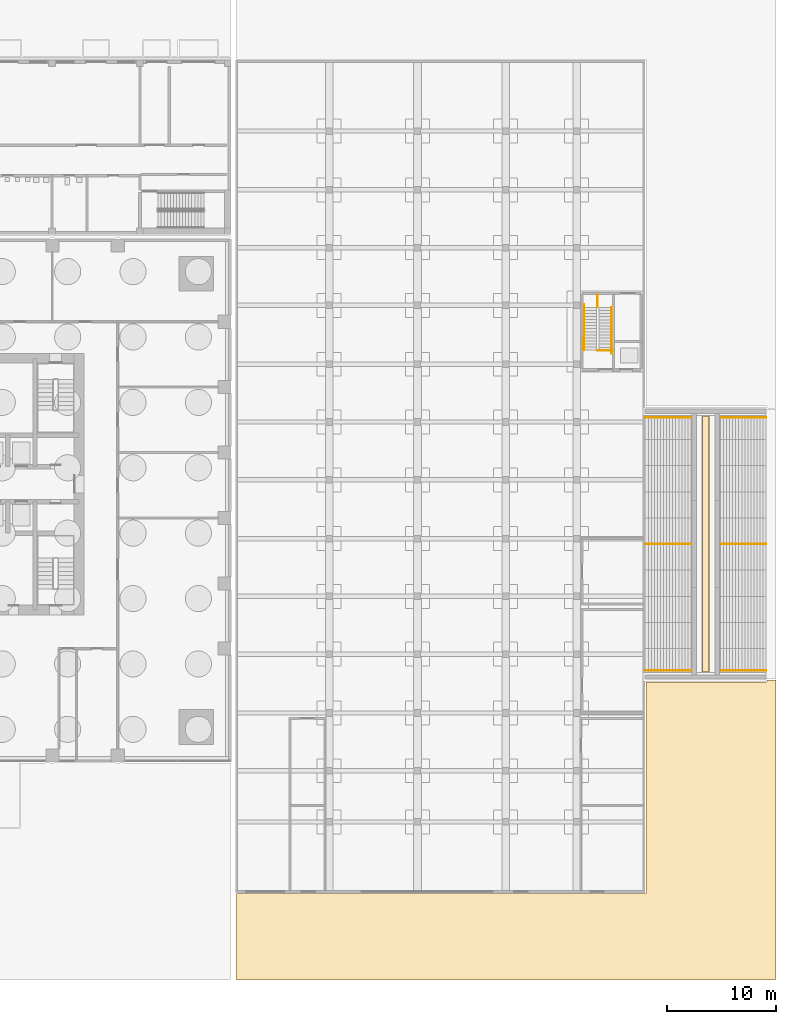
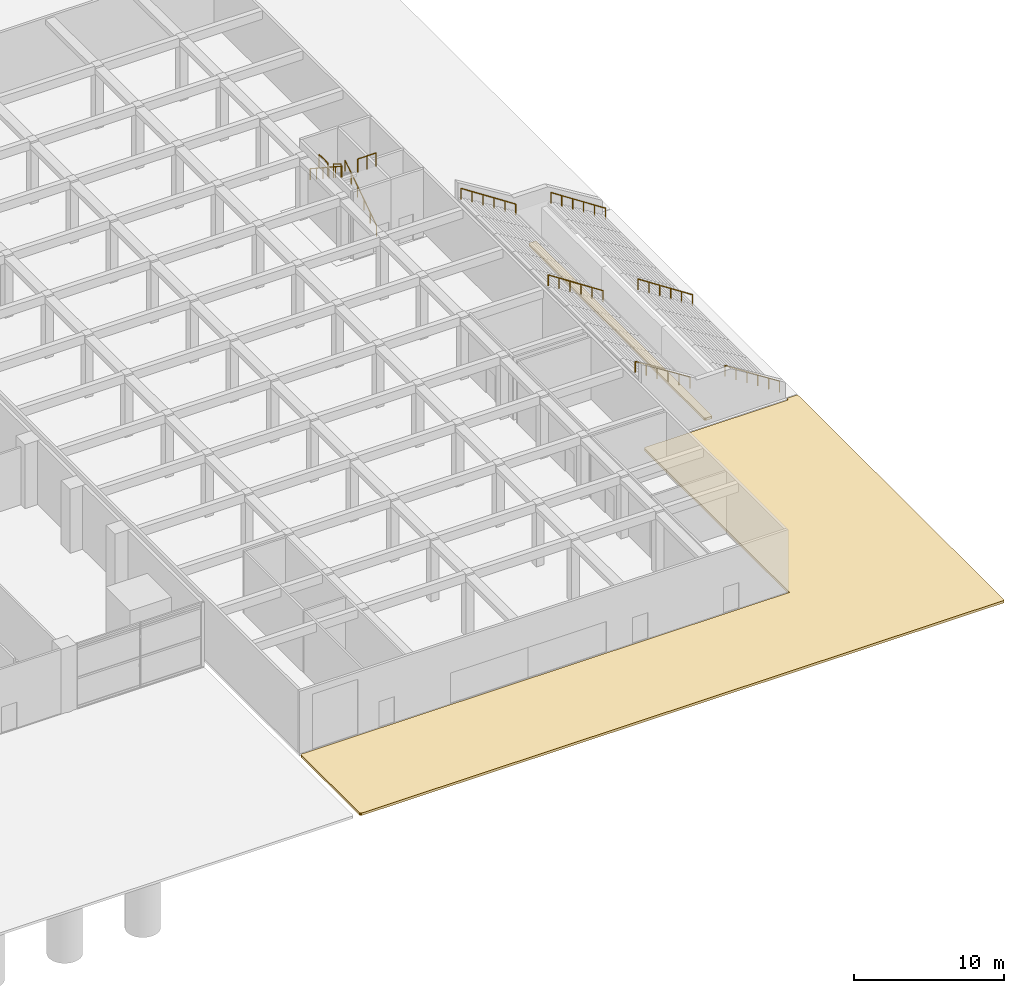
# One storey, part 30 of 33: 11 railings, 2 coverings.
"""IFC4 building model written with IfcOpenShell, lengths in metres."""

import ifcopenshell
import ifcopenshell.guid

model = None  # the IFC model being written
_history = None  # IfcOwnerHistory: only IFC2X3 demands one
_inside = {}  # id of a spatial element -> (the spatial element, [elements in it])
_under = {}  # id of a project, library or spatial element -> (it, [spatial elements below it])
_declared = {}  # id of a project -> (the project, [libraries it declares])
_typed = {}  # id of a type object -> (the type object, [elements of that type])
_made_of = {}  # id of a material, layer set ... -> (it, [elements and type objects made of it])


def new_model(schema):
    """Start an empty IFC model of exactly this schema.

    Asked for "IFC4X3", IfcOpenShell would pick the latest addendum, in which some entities
    have other attributes; the version numbers below select the first issue.
    IFC2X3 requires an IfcOwnerHistory on every rooted entity: one is made here for all.
    """
    global model, _history
    if schema == "IFC4X3":
        model = ifcopenshell.file(schema_version=(4, 3, 0, 0))
    else:
        model = ifcopenshell.file(schema=schema)
    _inside.clear()
    _under.clear()
    _declared.clear()
    _typed.clear()
    _made_of.clear()
    _history = None
    if model.schema == "IFC2X3":
        org = make("IfcOrganization", Name="unknown")
        user = make(
            "IfcPersonAndOrganization",
            ThePerson=make("IfcPerson", FamilyName="unknown"),
            TheOrganization=org,
        )
        app = make(
            "IfcApplication",
            ApplicationDeveloper=org,
            Version="unknown",
            ApplicationFullName="unknown",
            ApplicationIdentifier="unknown",
        )
        _history = make(
            "IfcOwnerHistory",
            OwningUser=user,
            OwningApplication=app,
            ChangeAction="ADDED",
            CreationDate=0,
        )
    return model


def make(cls, **values):
    """One entity of the class cls with the attributes given. An attribute that is None is left unset."""
    return model.create_entity(
        cls, **{name: value for name, value in values.items() if value is not None}
    )


def rooted(cls, **values):
    """An entity with a GlobalId (a new one), such as an element, a storey or a relation."""
    return make(cls, GlobalId=ifcopenshell.guid.new(), OwnerHistory=_history, **values)


def si_unit(unit_type, name, prefix=None):
    """IfcSIUnit, for example si_unit("LENGTHUNIT", "METRE", prefix="MILLI")."""
    return make("IfcSIUnit", UnitType=unit_type, Prefix=prefix, Name=name)


def assignment(units):
    """IfcUnitAssignment: the units of a project."""
    return None if units is None else make("IfcUnitAssignment", Units=units)


def point(xyz):
    """IfcCartesianPoint."""
    return None if xyz is None else make("IfcCartesianPoint", Coordinates=xyz)


def direction(xyz):
    """IfcDirection."""
    return None if xyz is None else make("IfcDirection", DirectionRatios=xyz)


def frame(location, z_axis=None, x_axis=None):
    """IfcAxis2Placement3D, a coordinate frame: its origin and axes. An axis left out is left unset."""
    return make(
        "IfcAxis2Placement3D",
        Location=point(location),
        Axis=direction(z_axis),
        RefDirection=direction(x_axis),
    )


def frame_2d(location, x_axis=None):
    """IfcAxis2Placement2D, a coordinate frame in the plane: its origin and x axis."""
    return make(
        "IfcAxis2Placement2D", Location=point(location), RefDirection=direction(x_axis)
    )


def origin():
    """The frame at (0, 0, 0) with its axes left unset."""
    return frame((0.0, 0.0, 0.0))


def origin_2d():
    """The frame at (0, 0) in the plane with its x axis left unset."""
    return frame_2d((0.0, 0.0))


def place(relative_to, where):
    """IfcLocalPlacement: puts the frame where relative to a parent placement (None: the world)."""
    return make(
        "IfcLocalPlacement", PlacementRelTo=relative_to, RelativePlacement=where
    )


def context(
    kind, dimensions, precision=None, world=None, true_north=None, identifier=None
):
    """IfcGeometricRepresentationContext, for example the 3D "Model" context."""
    return make(
        "IfcGeometricRepresentationContext",
        ContextIdentifier=identifier,
        ContextType=kind,
        CoordinateSpaceDimension=dimensions,
        Precision=precision,
        WorldCoordinateSystem=world,
        TrueNorth=true_north,
    )


def subcontext(parent, identifier, kind, view, scale=None):
    """IfcGeometricRepresentationSubContext, for example "Body" below "Model"."""
    return make(
        "IfcGeometricRepresentationSubContext",
        ContextIdentifier=identifier,
        ContextType=kind,
        ParentContext=parent,
        TargetScale=scale,
        TargetView=view,
    )


def project(units=None, contexts=None):
    """IfcProject with its units and contexts."""
    return rooted(
        "IfcProject",
        Name="project",
        RepresentationContexts=contexts,
        UnitsInContext=assignment(units),
    )


def spatial(cls, under=None, at=None, **own):
    """A site, building, storey or space (cls), placed at a placement, below another one or the project."""
    s = rooted(cls, ObjectPlacement=at, **own)
    if under is not None:
        _under.setdefault(under.id(), (under, []))[1].append(s)
    return s


def polyline(points):
    """IfcPolyline through the points."""
    return make("IfcPolyline", Points=[point(p) for p in points])


def profile(cls, at=None, kind="AREA", **sizes):
    """A parametric profile (cls). Its sizes go by their IFC names, for example OverallWidth=200.0."""
    return make(cls, ProfileType=kind, Position=at, **sizes)


def circle(**sizes):
    """IfcCircleProfileDef."""
    return profile("IfcCircleProfileDef", **sizes)


def outline(outer, holes=None, kind="AREA"):
    """IfcArbitraryClosedProfileDef: a profile drawn as a closed curve; with holes, ...WithVoids."""
    if holes is None:
        return make("IfcArbitraryClosedProfileDef", ProfileType=kind, OuterCurve=outer)
    return make(
        "IfcArbitraryProfileDefWithVoids",
        ProfileType=kind,
        OuterCurve=outer,
        InnerCurves=holes,
    )


def extrude(swept, where, along, depth):
    """IfcExtrudedAreaSolid: the profile swept, set in the frame where, extruded along a direction by depth."""
    return make(
        "IfcExtrudedAreaSolid",
        SweptArea=swept,
        Position=where,
        ExtrudedDirection=direction(along),
        Depth=depth,
    )


def shape(context_of_items, identifier, shape_type, items):
    """IfcShapeRepresentation: the items that make up one representation, for example the "Body"."""
    return make(
        "IfcShapeRepresentation",
        ContextOfItems=context_of_items,
        RepresentationIdentifier=identifier,
        RepresentationType=shape_type,
        Items=items,
    )


def material(Name=None, Category=None):
    """IfcMaterial."""
    return make("IfcMaterial", Name=Name, Category=Category)


def layer(
    of_material, thickness, ventilated=None, Name=None, Category=None, Priority=None
):
    """IfcMaterialLayer: one layer of a wall or slab, of a material (None: an air gap)."""
    return make(
        "IfcMaterialLayer",
        Material=of_material,
        LayerThickness=thickness,
        IsVentilated=ventilated,
        Name=Name,
        Category=Category,
        Priority=Priority,
    )


def layer_set(layers, Name=None):
    """IfcMaterialLayerSet."""
    return make("IfcMaterialLayerSet", MaterialLayers=layers, LayerSetName=Name)


def made_of(thing, what):
    """Note that an element or type object is made of a material, layer set ...; save() writes the relation."""
    if what is not None:
        _made_of.setdefault(what.id(), (what, []))[1].append(thing)
    return thing


def type_object(cls, material=None, **own):
    """A type object (cls), such as IfcWallType, which elements share."""
    return made_of(rooted(cls, **own), material)


def element(
    cls,
    number,
    at=None,
    inside=None,
    cuts=None,
    type_object=None,
    material=None,
    context=None,
    identifier="Body",
    shape_type=None,
    held_by="IfcProductDefinitionShape",
    body=None,
    shapes=None,
    **own,
):
    """One element of the class cls, such as IfcWall. Its Tag is "e" and its number.

    at: its placement. inside: the storey or other place that contains it. cuts: it is an
    opening in that element (IfcRelVoidsElement). A single representation is given by context,
    identifier, shape_type and body (its items); several are given by shapes. held_by: the class
    of the entity that holds the representations. save() writes the other relations.
    """
    e = rooted(cls, Tag="e%d" % number, ObjectPlacement=at, **own)
    if body is not None:
        shapes = [shape(context, identifier, shape_type, body)]
    if shapes is not None:
        e.Representation = make(held_by, Representations=shapes)
    if inside is not None:
        _inside.setdefault(inside.id(), (inside, []))[1].append(e)
    if cuts is not None:
        rooted(
            "IfcRelVoidsElement", RelatingBuildingElement=cuts, RelatedOpeningElement=e
        )
    if type_object is not None:
        _typed.setdefault(type_object.id(), (type_object, []))[1].append(e)
    return made_of(e, material)


def aggregate(whole, parts):
    """IfcRelAggregates: a whole, such as a stair, and the parts it consists of."""
    return rooted("IfcRelAggregates", RelatingObject=whole, RelatedObjects=parts)


def save(model, path):
    """Write the relations noted so far, then the file.

    IfcRelAggregates (storeys below a building ...), IfcRelContainedInSpatialStructure (elements
    in a storey), IfcRelDefinesByType, IfcRelAssociatesMaterial and IfcRelDeclares: one each for
    every whole, place, type object, material and project.
    """
    for whole, parts in _under.values():
        aggregate(whole, parts)
    for where, things in _inside.values():
        rooted(
            "IfcRelContainedInSpatialStructure",
            RelatedElements=things,
            RelatingStructure=where,
        )
    for kind, things in _typed.values():
        rooted("IfcRelDefinesByType", RelatedObjects=things, RelatingType=kind)
    for what, things in _made_of.values():
        rooted("IfcRelAssociatesMaterial", RelatedObjects=things, RelatingMaterial=what)
    for by, libraries in _declared.values():
        rooted("IfcRelDeclares", RelatingContext=by, RelatedDefinitions=libraries)
    model.write(path)


model = new_model("IFC4")

# Units and contexts
model_context = context("Model", 3, precision=1e-05, world=origin(), true_north=direction((0.0, 1.0)))
body_context = subcontext(model_context, "Body", "Model", "MODEL_VIEW")
ifc_project = project(units=[si_unit("LENGTHUNIT", "METRE"), si_unit("AREAUNIT", "SQUARE_METRE"), si_unit("VOLUMEUNIT", "CUBIC_METRE"), si_unit("PLANEANGLEUNIT", "RADIAN"), si_unit("MASSUNIT", "GRAM", prefix="KILO")], contexts=[model_context])

# Site, building, storey
site_placement = place(None, origin())
site = spatial("IfcSite", under=ifc_project, at=site_placement, CompositionType="ELEMENT")
building_placement = place(site_placement, origin())
building = spatial("IfcBuilding", under=site, at=building_placement, Name="Amberfall Residences", CompositionType="ELEMENT")
storey_placement = place(building_placement, origin())
storey = spatial("IfcBuildingStorey", under=building, at=storey_placement, Name="L00", CompositionType="ELEMENT", Elevation=0.0)

# Railings
ifc_material_1 = material(Name="Bronze anodised steel and toughened glass", Category="steel")
railing_type_1 = type_object("IfcRailingType", Name="Deck guard 1100", PredefinedType="GUARDRAIL", material=ifc_material_1)
railing_1_placement = place(storey_placement, frame((133.60009765625, 57.75, 5.5)))
element("IfcRailing", 1, at=railing_1_placement, inside=storey, type_object=railing_type_1, Name="Garden stair top landing guard", PredefinedType="GUARDRAIL", context=body_context, shape_type="SweptSolid", body=[
    extrude(circle(Radius=0.02392578125, at=origin_2d()), frame((0.0, 0.0, 1.076171875), z_axis=(1.0, 0.0, 0.0), x_axis=(0.0, 1.0, 0.0)), (0.0, 0.0, 1.0), 1.39990234375),
    extrude(circle(Radius=0.02099609375, at=origin_2d()), origin(), (0.0, 0.0, 1.0), 1.052001953125),
    extrude(circle(Radius=0.02099609375, at=origin_2d()), frame((0.699951171875, 0.0, 0.0)), (0.0, 0.0, 1.0), 1.052001953125),
    extrude(circle(Radius=0.02099609375, at=origin_2d()), frame((1.39990234375, 0.0, 0.0)), (0.0, 0.0, 1.0), 1.052001953125),
])
railing_2_placement = place(storey_placement, frame((133.60009765625, 61.75, 2.75)))
element("IfcRailing", 2, at=railing_2_placement, inside=storey, type_object=railing_type_1, Name="Garden stair well guard", PredefinedType="GUARDRAIL", context=body_context, shape_type="SweptSolid", body=[
    extrude(circle(Radius=0.02392578125, at=origin_2d()), frame((0.0, 0.0, 1.076171875), z_axis=(0.0, 1.0, 0.0), x_axis=(-1.0, 0.0, 0.0)), (0.0, 0.0, 1.0), 1.14990234375),
    extrude(circle(Radius=0.02099609375, at=origin_2d()), origin(), (0.0, 0.0, 1.0), 1.052001953125),
    extrude(circle(Radius=0.02099609375, at=origin_2d()), frame((0.0, 1.14990234375, 0.0)), (0.0, 0.0, 1.0), 1.052001953125),
])
railing_3_placement = place(storey_placement, frame((132.340087890625, 57.800048828125, 5.5)))
element("IfcRailing", 3, at=railing_3_placement, inside=storey, type_object=railing_type_1, Name="Garden stair corner guard", PredefinedType="GUARDRAIL", context=body_context, shape_type="SweptSolid", body=[
    extrude(circle(Radius=0.02392578125, at=origin_2d()), frame((0.0, 0.0, 1.076171875), z_axis=(0.0, 0.852179363531, -0.523249780098), x_axis=(-1.0, 0.0, 0.0)), (0.0, 0.0, 1.0), 1.17333984375),
    extrude(circle(Radius=0.02099609375, at=origin_2d()), origin(), (0.0, 0.0, 1.0), 1.052001953125),
    extrude(circle(Radius=0.02099609375, at=origin_2d()), frame((0.0, 1.0, -0.614013671875)), (0.0, 0.0, 1.0), 1.052001953125),
])
ifc_material_2 = material(Name="Bronze anodised steel", Category="steel")
railing_type_2 = type_object("IfcRailingType", Name="Deck handrail 900", PredefinedType="HANDRAIL", material=ifc_material_2)
railing_4_placement = place(storey_placement, frame((149.10009765625, 28.39990234375, 0.0)))
element("IfcRailing", 4, at=railing_4_placement, inside=storey, type_object=railing_type_2, Name="Deck stair handrail S 1", PredefinedType="HANDRAIL", context=body_context, shape_type="SweptSolid", body=[
    extrude(circle(Radius=0.02392578125, at=origin_2d()), frame((0.0, 0.0, 0.8759765625), z_axis=(-0.836630202335, 0.0, 0.547768112015), x_axis=(0.0, -1.0, 0.0)), (0.0, 0.0, 1.0), 5.020263671875),
    extrude(circle(Radius=0.02099609375, at=origin_2d()), origin(), (0.0, 0.0, 1.0), 0.851806640625),
    extrude(circle(Radius=0.02099609375, at=origin_2d()), frame((-0.840087890625, 0.0, 0.550048828125)), (0.0, 0.0, 1.0), 0.851806640625),
    extrude(circle(Radius=0.02099609375, at=origin_2d()), frame((-1.68017578125, 0.0, 1.10009765625)), (0.0, 0.0, 1.0), 0.851806640625),
    extrude(circle(Radius=0.02099609375, at=origin_2d()), frame((-2.52001953125, 0.0, 1.64990234375)), (0.0, 0.0, 1.0), 0.851806640625),
    extrude(circle(Radius=0.02099609375, at=origin_2d()), frame((-3.360107421875, 0.0, 2.199951171875)), (0.0, 0.0, 1.0), 0.851806640625),
    extrude(circle(Radius=0.02099609375, at=origin_2d()), frame((-4.2001953125, 0.0, 2.75)), (0.0, 0.0, 1.0), 0.851806640625),
])
railing_5_placement = place(storey_placement, frame((142.199951171875, 28.39990234375, 2.75)))
element("IfcRailing", 5, at=railing_5_placement, inside=storey, type_object=railing_type_2, Name="Deck stair handrail S 2", PredefinedType="HANDRAIL", context=body_context, shape_type="SweptSolid", body=[
    extrude(circle(Radius=0.02392578125, at=origin_2d()), frame((0.0, 0.0, 0.8759765625), z_axis=(-0.836615610023, 0.0, 0.547790398843), x_axis=(0.0, -1.0, 0.0)), (0.0, 0.0, 1.0), 5.020263671875),
    extrude(circle(Radius=0.02099609375, at=origin_2d()), origin(), (0.0, 0.0, 1.0), 0.851806640625),
    extrude(circle(Radius=0.02099609375, at=origin_2d()), frame((-0.840087890625, 0.0, 0.550048828125)), (0.0, 0.0, 1.0), 0.851806640625),
    extrude(circle(Radius=0.02099609375, at=origin_2d()), frame((-1.679931640625, 0.0, 1.10009765625)), (0.0, 0.0, 1.0), 0.851806640625),
    extrude(circle(Radius=0.02099609375, at=origin_2d()), frame((-2.52001953125, 0.0, 1.64990234375)), (0.0, 0.0, 1.0), 0.851806640625),
    extrude(circle(Radius=0.02099609375, at=origin_2d()), frame((-3.35986328125, 0.0, 2.199951171875)), (0.0, 0.0, 1.0), 0.851806640625),
    extrude(circle(Radius=0.02099609375, at=origin_2d()), frame((-4.199951171875, 0.0, 2.75)), (0.0, 0.0, 1.0), 0.851806640625),
])
railing_6_placement = place(storey_placement, frame((149.10009765625, 40.0, 0.0)))
element("IfcRailing", 6, at=railing_6_placement, inside=storey, type_object=railing_type_2, Name="Deck stair handrail M 1", PredefinedType="HANDRAIL", context=body_context, shape_type="SweptSolid", body=[
    extrude(circle(Radius=0.02392578125, at=origin_2d()), frame((0.0, 0.0, 0.8759765625), z_axis=(-0.836630202335, 0.0, 0.547768112015), x_axis=(0.0, -1.0, 0.0)), (0.0, 0.0, 1.0), 5.020263671875),
    extrude(circle(Radius=0.02099609375, at=origin_2d()), origin(), (0.0, 0.0, 1.0), 0.851806640625),
    extrude(circle(Radius=0.02099609375, at=origin_2d()), frame((-0.840087890625, 0.0, 0.550048828125)), (0.0, 0.0, 1.0), 0.851806640625),
    extrude(circle(Radius=0.02099609375, at=origin_2d()), frame((-1.68017578125, 0.0, 1.10009765625)), (0.0, 0.0, 1.0), 0.851806640625),
    extrude(circle(Radius=0.02099609375, at=origin_2d()), frame((-2.52001953125, 0.0, 1.64990234375)), (0.0, 0.0, 1.0), 0.851806640625),
    extrude(circle(Radius=0.02099609375, at=origin_2d()), frame((-3.360107421875, 0.0, 2.199951171875)), (0.0, 0.0, 1.0), 0.851806640625),
    extrude(circle(Radius=0.02099609375, at=origin_2d()), frame((-4.2001953125, 0.0, 2.75)), (0.0, 0.0, 1.0), 0.851806640625),
])
railing_7_placement = place(storey_placement, frame((142.199951171875, 40.0, 2.75)))
element("IfcRailing", 7, at=railing_7_placement, inside=storey, type_object=railing_type_2, Name="Deck stair handrail M 2", PredefinedType="HANDRAIL", context=body_context, shape_type="SweptSolid", body=[
    extrude(circle(Radius=0.02392578125, at=origin_2d()), frame((0.0, 0.0, 0.8759765625), z_axis=(-0.836615610023, 0.0, 0.547790398843), x_axis=(0.0, -1.0, 0.0)), (0.0, 0.0, 1.0), 5.020263671875),
    extrude(circle(Radius=0.02099609375, at=origin_2d()), origin(), (0.0, 0.0, 1.0), 0.851806640625),
    extrude(circle(Radius=0.02099609375, at=origin_2d()), frame((-0.840087890625, 0.0, 0.550048828125)), (0.0, 0.0, 1.0), 0.851806640625),
    extrude(circle(Radius=0.02099609375, at=origin_2d()), frame((-1.679931640625, 0.0, 1.10009765625)), (0.0, 0.0, 1.0), 0.851806640625),
    extrude(circle(Radius=0.02099609375, at=origin_2d()), frame((-2.52001953125, 0.0, 1.64990234375)), (0.0, 0.0, 1.0), 0.851806640625),
    extrude(circle(Radius=0.02099609375, at=origin_2d()), frame((-3.35986328125, 0.0, 2.199951171875)), (0.0, 0.0, 1.0), 0.851806640625),
    extrude(circle(Radius=0.02099609375, at=origin_2d()), frame((-4.199951171875, 0.0, 2.75)), (0.0, 0.0, 1.0), 0.851806640625),
])
railing_8_placement = place(storey_placement, frame((149.10009765625, 51.60009765625, 0.0)))
element("IfcRailing", 8, at=railing_8_placement, inside=storey, type_object=railing_type_2, Name="Deck stair handrail N 1", PredefinedType="HANDRAIL", context=body_context, shape_type="SweptSolid", body=[
    extrude(circle(Radius=0.02392578125, at=origin_2d()), frame((0.0, 0.0, 0.8759765625), z_axis=(-0.836630202335, 0.0, 0.547768112015), x_axis=(0.0, -1.0, 0.0)), (0.0, 0.0, 1.0), 5.020263671875),
    extrude(circle(Radius=0.02099609375, at=origin_2d()), origin(), (0.0, 0.0, 1.0), 0.851806640625),
    extrude(circle(Radius=0.02099609375, at=origin_2d()), frame((-0.840087890625, 0.0, 0.550048828125)), (0.0, 0.0, 1.0), 0.851806640625),
    extrude(circle(Radius=0.02099609375, at=origin_2d()), frame((-1.68017578125, 0.0, 1.10009765625)), (0.0, 0.0, 1.0), 0.851806640625),
    extrude(circle(Radius=0.02099609375, at=origin_2d()), frame((-2.52001953125, 0.0, 1.64990234375)), (0.0, 0.0, 1.0), 0.851806640625),
    extrude(circle(Radius=0.02099609375, at=origin_2d()), frame((-3.360107421875, 0.0, 2.199951171875)), (0.0, 0.0, 1.0), 0.851806640625),
    extrude(circle(Radius=0.02099609375, at=origin_2d()), frame((-4.2001953125, 0.0, 2.75)), (0.0, 0.0, 1.0), 0.851806640625),
])
railing_9_placement = place(storey_placement, frame((142.199951171875, 51.60009765625, 2.75)))
element("IfcRailing", 9, at=railing_9_placement, inside=storey, type_object=railing_type_2, Name="Deck stair handrail N 2", PredefinedType="HANDRAIL", context=body_context, shape_type="SweptSolid", body=[
    extrude(circle(Radius=0.02392578125, at=origin_2d()), frame((0.0, 0.0, 0.8759765625), z_axis=(-0.836615610023, 0.0, 0.547790398843), x_axis=(0.0, -1.0, 0.0)), (0.0, 0.0, 1.0), 5.020263671875),
    extrude(circle(Radius=0.02099609375, at=origin_2d()), origin(), (0.0, 0.0, 1.0), 0.851806640625),
    extrude(circle(Radius=0.02099609375, at=origin_2d()), frame((-0.840087890625, 0.0, 0.550048828125)), (0.0, 0.0, 1.0), 0.851806640625),
    extrude(circle(Radius=0.02099609375, at=origin_2d()), frame((-1.679931640625, 0.0, 1.10009765625)), (0.0, 0.0, 1.0), 0.851806640625),
    extrude(circle(Radius=0.02099609375, at=origin_2d()), frame((-2.52001953125, 0.0, 1.64990234375)), (0.0, 0.0, 1.0), 0.851806640625),
    extrude(circle(Radius=0.02099609375, at=origin_2d()), frame((-3.35986328125, 0.0, 2.199951171875)), (0.0, 0.0, 1.0), 0.851806640625),
    extrude(circle(Radius=0.02099609375, at=origin_2d()), frame((-4.199951171875, 0.0, 2.75)), (0.0, 0.0, 1.0), 0.851806640625),
])
railing_10_placement = place(storey_placement, frame((134.89990234375, 57.5, 0.0)))
element("IfcRailing", 10, at=railing_10_placement, inside=storey, type_object=railing_type_2, Name="Garden stair handrail 1", PredefinedType="HANDRAIL", context=body_context, shape_type="SweptSolid", body=[
    extrude(circle(Radius=0.02392578125, at=origin_2d()), frame((0.0, 0.0, 0.8759765625), z_axis=(0.0, 0.836615610023, 0.547790398843), x_axis=(-1.0, 0.0, 0.0)), (0.0, 0.0, 1.0), 5.020263671875),
    extrude(circle(Radius=0.02099609375, at=origin_2d()), origin(), (0.0, 0.0, 1.0), 0.851806640625),
    extrude(circle(Radius=0.02099609375, at=origin_2d()), frame((0.0, 0.840087890625, 0.550048828125)), (0.0, 0.0, 1.0), 0.851806640625),
    extrude(circle(Radius=0.02099609375, at=origin_2d()), frame((0.0, 1.679931640625, 1.10009765625)), (0.0, 0.0, 1.0), 0.851806640625),
    extrude(circle(Radius=0.02099609375, at=origin_2d()), frame((0.0, 2.52001953125, 1.64990234375)), (0.0, 0.0, 1.0), 0.851806640625),
    extrude(circle(Radius=0.02099609375, at=origin_2d()), frame((0.0, 3.35986328125, 2.199951171875)), (0.0, 0.0, 1.0), 0.851806640625),
    extrude(circle(Radius=0.02099609375, at=origin_2d()), frame((0.0, 4.199951171875, 2.75)), (0.0, 0.0, 1.0), 0.851806640625),
])
railing_11_placement = place(storey_placement, frame((132.39990234375, 62.0, 2.75)))
element("IfcRailing", 11, at=railing_11_placement, inside=storey, type_object=railing_type_2, Name="Garden stair handrail 2", PredefinedType="HANDRAIL", context=body_context, shape_type="SweptSolid", body=[
    extrude(circle(Radius=0.02392578125, at=origin_2d()), frame((0.0, 0.0, 0.8759765625), z_axis=(0.0, -0.836615610023, 0.547790398843), x_axis=(1.0, 0.0, 0.0)), (0.0, 0.0, 1.0), 5.020263671875),
    extrude(circle(Radius=0.02099609375, at=origin_2d()), origin(), (0.0, 0.0, 1.0), 0.851806640625),
    extrude(circle(Radius=0.02099609375, at=origin_2d()), frame((0.0, -0.840087890625, 0.550048828125)), (0.0, 0.0, 1.0), 0.851806640625),
    extrude(circle(Radius=0.02099609375, at=origin_2d()), frame((0.0, -1.679931640625, 1.10009765625)), (0.0, 0.0, 1.0), 0.851806640625),
    extrude(circle(Radius=0.02099609375, at=origin_2d()), frame((0.0, -2.52001953125, 1.64990234375)), (0.0, 0.0, 1.0), 0.851806640625),
    extrude(circle(Radius=0.02099609375, at=origin_2d()), frame((0.0, -3.35986328125, 2.199951171875)), (0.0, 0.0, 1.0), 0.851806640625),
    extrude(circle(Radius=0.02099609375, at=origin_2d()), frame((0.0, -4.199951171875, 2.75)), (0.0, 0.0, 1.0), 0.851806640625),
])

# Coverings
ifc_material_3 = material(Name="Reinforced concrete C30 paving", Category="concrete")
ifc_layer = layer(ifc_material_3, 0.199951171875)
ifc_layer_set = layer_set([ifc_layer], Name="Site paving 200")
covering_type = type_object("IfcCoveringType", Name="Site paving 200", PredefinedType="FLOORING", material=ifc_layer_set)
covering_1_placement = place(storey_placement, frame((0.0, 0.0, -0.219970703125)))
element("IfcCovering", 12, at=covering_1_placement, inside=storey, type_object=covering_type, Name="Site paving", PredefinedType="FLOORING", context=body_context, shape_type="SweptSolid", body=[
    extrude(outline(polyline([(138.050048828125, 7.949951171875), (138.050048828125, 27.25), (138.06689453125, 27.305908203125), (138.10302734375, 27.337890625), (138.14990234375, 27.35009765625), (149.14794921875, 27.35009765625), (149.157958984375, 27.488037109375), (149.18701171875, 27.527099609375), (149.22998046875, 27.548095703125), (149.89990234375, 27.550048828125), (149.9560546875, 27.532958984375), (149.988037109375, 27.4970703125), (150.0, 27.449951171875), (150.0, 0.10009765625), (149.988037109375, 0.052978515625), (149.947021484375, 0.011962890625), (149.89990234375, 0.0), (100.550048828125, 0.0), (100.487060546875, 0.02294921875), (100.451904296875, 0.080078125), (100.449951171875, 7.85009765625), (100.472900390625, 7.9130859375), (100.530029296875, 7.947998046875), (138.050048828125, 7.949951171875)])), origin(), (0.0, 0.0, 1.0), 0.199951171875),
])
covering_2_placement = place(storey_placement, frame((0.0, 0.0, -0.219970703125)))
element("IfcCovering", 13, at=covering_2_placement, inside=storey, type_object=covering_type, Name="Site paving", PredefinedType="FLOORING", context=body_context, shape_type="SweptSolid", body=[
    extrude(outline(polyline([(143.75, 51.75), (143.821044921875, 51.720947265625), (143.85009765625, 51.64990234375), (143.85009765625, 28.35009765625), (143.826904296875, 28.287109375), (143.77001953125, 28.251953125), (143.35009765625, 28.25), (143.279052734375, 28.279052734375), (143.25, 28.35009765625), (143.25, 51.64990234375), (143.27294921875, 51.712890625), (143.330078125, 51.748046875), (143.75, 51.75)])), origin(), (0.0, 0.0, 1.0), 0.199951171875),
])

save(model, "model.ifc")
